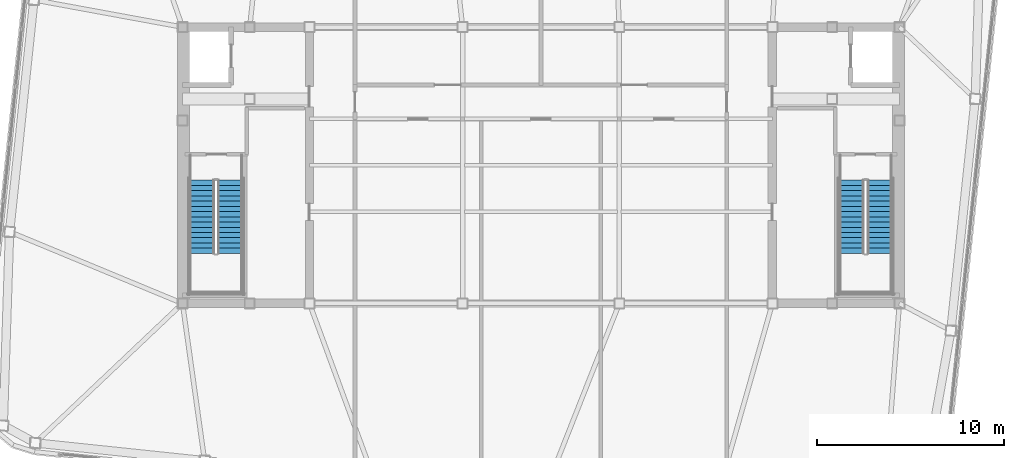
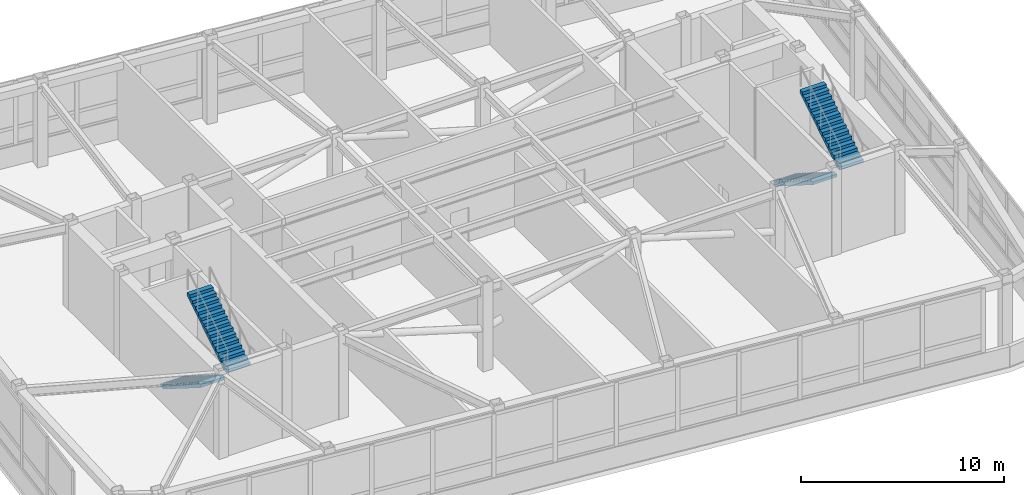
# One storey, part 21 of 23: 4 stair flights, 2 elements without a shape of their own.
"""IFC4 building model written with IfcOpenShell, lengths in metres."""

from ifc_helpers import new_model, si_unit, direction, frame, origin, place, context, subcontext, project, spatial, polyline, outline, extrude, material, type_object, element, aggregate, save


model = new_model("IFC4")

# Units and contexts
model_context = context("Model", 3, precision=1e-05, world=origin(), true_north=direction((0.0, 1.0)))
body_context = subcontext(model_context, "Body", "Model", "MODEL_VIEW")
ifc_project = project(units=[si_unit("LENGTHUNIT", "METRE"), si_unit("AREAUNIT", "SQUARE_METRE"), si_unit("VOLUMEUNIT", "CUBIC_METRE"), si_unit("PLANEANGLEUNIT", "RADIAN"), si_unit("MASSUNIT", "GRAM", prefix="KILO")], contexts=[model_context])

# Site, building, storey
site_placement = place(None, origin())
site = spatial("IfcSite", under=ifc_project, at=site_placement, CompositionType="ELEMENT")
building_placement = place(site_placement, origin())
building = spatial("IfcBuilding", under=site, at=building_placement, Name="Voryun Gate Residences", CompositionType="ELEMENT")
storey_placement = place(building_placement, frame((0.0, 0.0, 331.89990234375)))
storey = spatial("IfcBuildingStorey", under=building, at=storey_placement, Name="L81", CompositionType="ELEMENT", Elevation=331.89990234375)

# Stair, stair flights
ifc_material_1 = material(Name="Concrete C40/50", Category="concrete")
stair_type = type_object("IfcStairType", Name="STR_CORE_DOGLEG_1350", PredefinedType="HALF_TURN_STAIR", material=ifc_material_1)
stair_1_placement = place(storey_placement, origin())
stair_1 = element("IfcStair", 1, at=stair_1_placement, inside=storey, type_object=stair_type, Name="L81 Special Escape Stair ST-W1", PredefinedType="HALF_TURN_STAIR")
ifc_material_2 = material(Name="Concrete C40/50", Category="concrete")
stair_flight_type = type_object("IfcStairFlightType", Name="FLT_CORE_1350", PredefinedType="STRAIGHT", material=ifc_material_2)
stair_flight_1_placement = place(storey_placement, frame((-18.14990234375, -0.800048828125, 0.0), z_axis=(0.0, 0.0, 1.0), x_axis=(0.0, -1.0, 0.0)))
stair_flight_1 = element("IfcStairFlight", 2, at=stair_flight_1_placement, type_object=stair_flight_type, Name="ST-W1 flight 1", NumberOfRisers=15, NumberOfTreads=14, PredefinedType="STRAIGHT", RiserHeight=0.176666667, TreadLength=0.28, context=body_context, shape_type="SweptSolid", body=[
    extrude(outline(polyline([(0.0, 0.0), (0.0, 0.1767578125), (0.280029296875, 0.1767578125), (0.280029296875, 0.353271484375), (0.56005859375, 0.353271484375), (0.56005859375, 0.530029296875), (0.840087890625, 0.530029296875), (0.840087890625, 0.706787109375), (1.1201171875, 0.706787109375), (1.1201171875, 0.88330078125), (1.39990234375, 0.88330078125), (1.39990234375, 1.06005859375), (1.679931640625, 1.06005859375), (1.679931640625, 1.236572265625), (1.9599609375, 1.236572265625), (1.9599609375, 1.413330078125), (2.239990234375, 1.413330078125), (2.239990234375, 1.590087890625), (2.52001953125, 1.590087890625), (2.52001953125, 1.7666015625), (2.800048828125, 1.7666015625), (2.800048828125, 1.943359375), (3.080078125, 1.943359375), (3.080078125, 2.1201171875), (3.360107421875, 2.1201171875), (3.360107421875, 2.296630859375), (3.639892578125, 2.296630859375), (3.639892578125, 2.473388671875), (3.919921875, 2.473388671875), (3.919921875, 2.64990234375), (3.919921875, 2.296142578125), (0.281005859375, 0.0), (0.0, 0.0)])), frame((0.0, 0.675048828125, 0.0), z_axis=(0.0, -1.0, 0.0), x_axis=(1.0, 0.0, 0.0)), (0.0, 0.0, 1.0), 1.35009765625),
])
stair_flight_2_placement = place(storey_placement, frame((-16.64990234375, -4.719970703125, 2.650146484375), z_axis=(0.0, 0.0, 1.0), x_axis=(0.0, 1.0, 0.0)))
stair_flight_2 = element("IfcStairFlight", 3, at=stair_flight_2_placement, type_object=stair_flight_type, Name="ST-W1 flight 2", NumberOfRisers=15, NumberOfTreads=14, PredefinedType="STRAIGHT", RiserHeight=0.176666667, TreadLength=0.28, context=body_context, shape_type="SweptSolid", body=[
    extrude(outline(polyline([(0.0, 0.0), (0.0, 0.1767578125), (0.280029296875, 0.1767578125), (0.280029296875, 0.353271484375), (0.56005859375, 0.353271484375), (0.56005859375, 0.530029296875), (0.840087890625, 0.530029296875), (0.840087890625, 0.706787109375), (1.1201171875, 0.706787109375), (1.1201171875, 0.88330078125), (1.39990234375, 0.88330078125), (1.39990234375, 1.06005859375), (1.679931640625, 1.06005859375), (1.679931640625, 1.236572265625), (1.9599609375, 1.236572265625), (1.9599609375, 1.413330078125), (2.239990234375, 1.413330078125), (2.239990234375, 1.590087890625), (2.52001953125, 1.590087890625), (2.52001953125, 1.7666015625), (2.800048828125, 1.7666015625), (2.800048828125, 1.943359375), (3.080078125, 1.943359375), (3.080078125, 2.1201171875), (3.360107421875, 2.1201171875), (3.360107421875, 2.296630859375), (3.639892578125, 2.296630859375), (3.639892578125, 2.473388671875), (3.919921875, 2.473388671875), (3.919921875, 2.64990234375), (3.919921875, 2.296142578125), (0.281005859375, 0.0), (0.0, 0.0)])), frame((0.0, 0.675048828125, 0.0), z_axis=(0.0, -1.0, 0.0), x_axis=(1.0, 0.0, 0.0)), (0.0, 0.0, 1.0), 1.35009765625),
])
aggregate(stair_1, [stair_flight_1, stair_flight_2])

stair_2_placement = place(storey_placement, origin())
stair_2 = element("IfcStair", 4, at=stair_2_placement, inside=storey, type_object=stair_type, Name="L81 Special Escape Stair ST-E1", PredefinedType="HALF_TURN_STAIR")
stair_flight_3_placement = place(storey_placement, frame((16.64990234375, -0.800048828125, 0.0), z_axis=(0.0, 0.0, 1.0), x_axis=(0.0, -1.0, 0.0)))
stair_flight_3 = element("IfcStairFlight", 5, at=stair_flight_3_placement, type_object=stair_flight_type, Name="ST-E1 flight 1", NumberOfRisers=15, NumberOfTreads=14, PredefinedType="STRAIGHT", RiserHeight=0.176666667, TreadLength=0.28, context=body_context, shape_type="SweptSolid", body=[
    extrude(outline(polyline([(0.0, 0.0), (0.0, 0.1767578125), (0.280029296875, 0.1767578125), (0.280029296875, 0.353271484375), (0.56005859375, 0.353271484375), (0.56005859375, 0.530029296875), (0.840087890625, 0.530029296875), (0.840087890625, 0.706787109375), (1.1201171875, 0.706787109375), (1.1201171875, 0.88330078125), (1.39990234375, 0.88330078125), (1.39990234375, 1.06005859375), (1.679931640625, 1.06005859375), (1.679931640625, 1.236572265625), (1.9599609375, 1.236572265625), (1.9599609375, 1.413330078125), (2.239990234375, 1.413330078125), (2.239990234375, 1.590087890625), (2.52001953125, 1.590087890625), (2.52001953125, 1.7666015625), (2.800048828125, 1.7666015625), (2.800048828125, 1.943359375), (3.080078125, 1.943359375), (3.080078125, 2.1201171875), (3.360107421875, 2.1201171875), (3.360107421875, 2.296630859375), (3.639892578125, 2.296630859375), (3.639892578125, 2.473388671875), (3.919921875, 2.473388671875), (3.919921875, 2.64990234375), (3.919921875, 2.296142578125), (0.281005859375, 0.0), (0.0, 0.0)])), frame((0.0, 0.675048828125, 0.0), z_axis=(0.0, -1.0, 0.0), x_axis=(1.0, 0.0, 0.0)), (0.0, 0.0, 1.0), 1.35009765625),
])
stair_flight_4_placement = place(storey_placement, frame((18.14990234375, -4.719970703125, 2.650146484375), z_axis=(0.0, 0.0, 1.0), x_axis=(0.0, 1.0, 0.0)))
stair_flight_4 = element("IfcStairFlight", 6, at=stair_flight_4_placement, type_object=stair_flight_type, Name="ST-E1 flight 2", NumberOfRisers=15, NumberOfTreads=14, PredefinedType="STRAIGHT", RiserHeight=0.176666667, TreadLength=0.28, context=body_context, shape_type="SweptSolid", body=[
    extrude(outline(polyline([(0.0, 0.0), (0.0, 0.1767578125), (0.280029296875, 0.1767578125), (0.280029296875, 0.353271484375), (0.56005859375, 0.353271484375), (0.56005859375, 0.530029296875), (0.840087890625, 0.530029296875), (0.840087890625, 0.706787109375), (1.1201171875, 0.706787109375), (1.1201171875, 0.88330078125), (1.39990234375, 0.88330078125), (1.39990234375, 1.06005859375), (1.679931640625, 1.06005859375), (1.679931640625, 1.236572265625), (1.9599609375, 1.236572265625), (1.9599609375, 1.413330078125), (2.239990234375, 1.413330078125), (2.239990234375, 1.590087890625), (2.52001953125, 1.590087890625), (2.52001953125, 1.7666015625), (2.800048828125, 1.7666015625), (2.800048828125, 1.943359375), (3.080078125, 1.943359375), (3.080078125, 2.1201171875), (3.360107421875, 2.1201171875), (3.360107421875, 2.296630859375), (3.639892578125, 2.296630859375), (3.639892578125, 2.473388671875), (3.919921875, 2.473388671875), (3.919921875, 2.64990234375), (3.919921875, 2.296142578125), (0.281005859375, 0.0), (0.0, 0.0)])), frame((0.0, 0.675048828125, 0.0), z_axis=(0.0, -1.0, 0.0), x_axis=(1.0, 0.0, 0.0)), (0.0, 0.0, 1.0), 1.35009765625),
])
aggregate(stair_2, [stair_flight_3, stair_flight_4])

save(model, "model.ifc")
